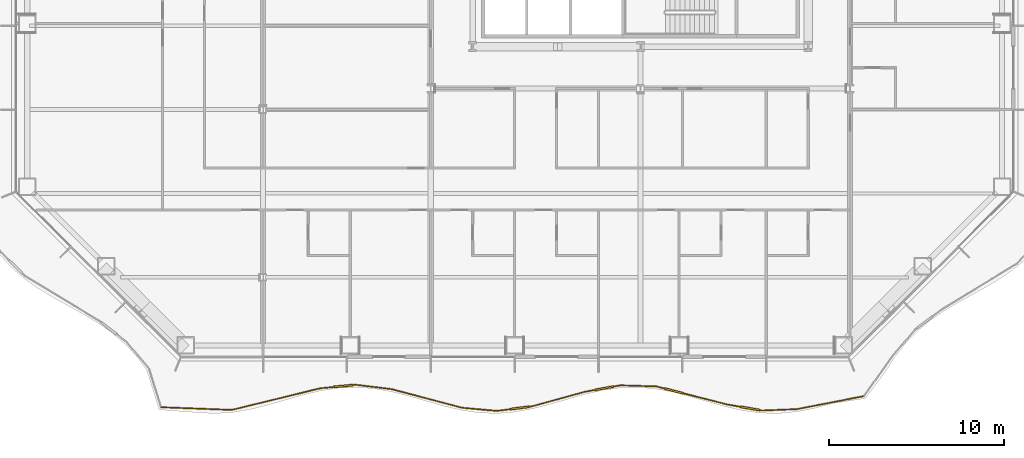
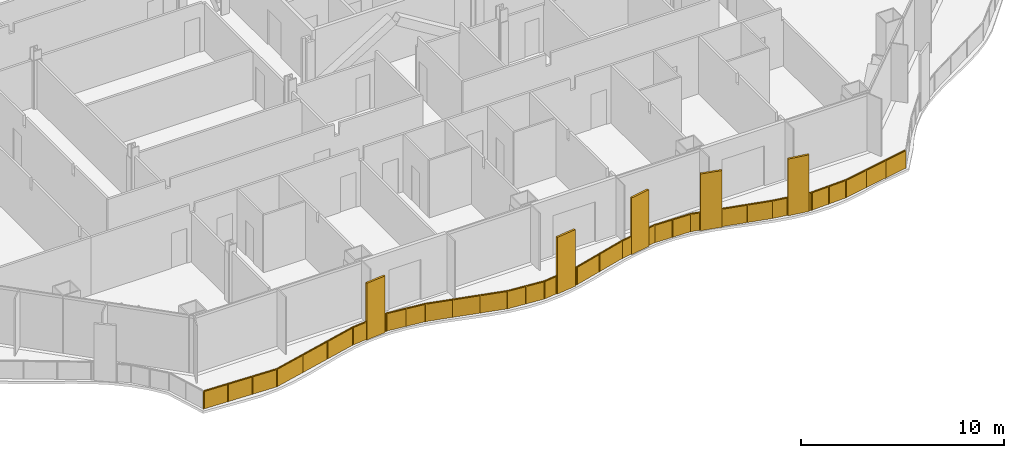
# One storey, part 16 of 21: 1 railing.
"""IFC4 building model written with IfcOpenShell, lengths in metres."""

from ifc_helpers import new_model, si_unit, direction, frame, origin, origin_2d, place, context, subcontext, project, spatial, polyline, rectangle, outline, extrude, material, type_object, element, save


model = new_model("IFC4")

# Units and contexts
model_context = context("Model", 3, precision=1e-05, world=origin(), true_north=direction((0.0, 1.0)))
body_context = subcontext(model_context, "Body", "Model", "MODEL_VIEW")
ifc_project = project(units=[si_unit("LENGTHUNIT", "METRE"), si_unit("AREAUNIT", "SQUARE_METRE"), si_unit("VOLUMEUNIT", "CUBIC_METRE"), si_unit("PLANEANGLEUNIT", "RADIAN"), si_unit("MASSUNIT", "GRAM", prefix="KILO")], contexts=[model_context])

# Site, building, storey
site_placement = place(None, origin())
site = spatial("IfcSite", under=ifc_project, at=site_placement, CompositionType="ELEMENT")
building_placement = place(site_placement, origin())
building = spatial("IfcBuilding", under=site, at=building_placement, Name="Cairn Pilgrim Tower", CompositionType="ELEMENT")
storey_placement = place(building_placement, frame((0.0, 0.0, 47.39990234375)))
storey = spatial("IfcBuildingStorey", under=building, at=storey_placement, Name="L09", CompositionType="ELEMENT", Elevation=47.39990234375)

# Railing
ifc_material = material(Name="Bronze anodised aluminium rail, posts and fin screens with laminated glass infill", Category="aluminium")
railing_type = type_object("IfcRailingType", Name="BALCONY GUARD WITH FIN SCREENS", PredefinedType="GUARDRAIL", material=ifc_material)
railing_placement = place(storey_placement, frame((-20.239990234375, -26.634521484375, 0.0)))
element("IfcRailing", 1, at=railing_placement, inside=storey, type_object=railing_type, Name="Balcony guard BGF-1 with fin screens", PredefinedType="GUARDRAIL", context=body_context, shape_type="SweptSolid", body=[
    extrude(rectangle(XDim=0.050048828125, YDim=0.050048828125, at=origin_2d()), frame((0.0, 0.0, 1.0751953125), z_axis=(0.999279625134, -0.037950372763, 0.0), x_axis=(0.037950372763, 0.999279625134, 0.0)), (0.0, 0.0, 1.0), 4.059326171875),
    extrude(rectangle(XDim=0.050048828125, YDim=0.050048828125, at=origin_2d()), frame((4.056396484375, -0.154052734375, 1.0751953125), z_axis=(0.971320368438, 0.237774560997, 0.0), x_axis=(-0.237774560997, 0.971320368438, 0.0)), (0.0, 0.0, 1.0), 5.19140625),
    extrude(rectangle(XDim=1.10009765625, YDim=0.110107421875, at=origin_2d()), frame((10.450439453125, 1.215087890625, 0.0), z_axis=(0.0, 0.0, 1.0), x_axis=(0.995059478864, 0.099280579784, 0.0)), (0.0, 0.0, 1.0), 3.39990234375),
    extrude(rectangle(XDim=0.050048828125, YDim=0.050048828125, at=origin_2d()), frame((9.098876953125, 1.080322265625, 1.0751953125), z_axis=(0.995059478864, 0.099280579784, 0.0), x_axis=(-0.099280579784, 0.995059478864, 0.0)), (0.0, 0.0, 1.0), 0.80810546875),
    extrude(rectangle(XDim=0.050048828125, YDim=0.050048828125, at=origin_2d()), frame((10.99755859375, 1.269775390625, 1.0751953125), z_axis=(0.995059478864, 0.099280579784, 0.0), x_axis=(-0.099280579784, 0.995059478864, 0.0)), (0.0, 0.0, 1.0), 0.150146484375),
    extrude(rectangle(XDim=0.050048828125, YDim=0.050048828125, at=origin_2d()), frame((11.14697265625, 1.28466796875, 1.0751953125), z_axis=(0.992685716398, -0.120727248209, 0.0), x_axis=(0.120727248209, 0.992685716398, 0.0)), (0.0, 0.0, 1.0), 2.062744140625),
    extrude(rectangle(XDim=0.050048828125, YDim=0.050048828125, at=origin_2d()), frame((13.194580078125, 1.03564453125, 1.0751953125), z_axis=(0.966840271951, -0.255381848483, 0.0), x_axis=(0.255381848483, 0.966840271951, 0.0)), (0.0, 0.0, 1.0), 4.1787109375),
    extrude(rectangle(XDim=0.050048828125, YDim=0.050048828125, at=origin_2d()), frame((17.234619140625, -0.031494140625, 1.0751953125), z_axis=(0.99590120662, -0.090447701202, 0.0), x_axis=(0.090447701202, 0.99590120662, 0.0)), (0.0, 0.0, 1.0), 2.000244140625),
    extrude(rectangle(XDim=1.10009765625, YDim=0.110107421875, at=origin_2d()), frame((20.526611328125, -0.043212890625, 0.0), z_axis=(0.0, 0.0, 1.0), x_axis=(0.991637604032, 0.129053718546, 0.0)), (0.0, 0.0, 1.0), 3.39990234375),
    extrude(rectangle(XDim=0.050048828125, YDim=0.050048828125, at=origin_2d()), frame((19.2265625, -0.21240234375, 1.0751953125), z_axis=(0.991637604032, 0.129053718546, 0.0), x_axis=(-0.129053718546, 0.991637604032, 0.0)), (0.0, 0.0, 1.0), 0.76123046875),
    extrude(rectangle(XDim=0.050048828125, YDim=0.050048828125, at=origin_2d()), frame((21.072021484375, 0.02783203125, 1.0751953125), z_axis=(0.991637604032, 0.129053718546, 0.0), x_axis=(-0.129053718546, 0.991637604032, 0.0)), (0.0, 0.0, 1.0), 0.14990234375),
    extrude(rectangle(XDim=0.050048828125, YDim=0.050048828125, at=origin_2d()), frame((21.220703125, 0.047119140625, 1.0751953125), z_axis=(0.964002923343, 0.265891639181, 0.0), x_axis=(-0.265891639181, 0.964002923343, 0.0)), (0.0, 0.0, 1.0), 3.14111328125),
    extrude(rectangle(XDim=1.10009765625, YDim=0.110107421875, at=origin_2d()), frame((25.3671875, 1.08544921875, 0.0), z_axis=(0.0, 0.0, 1.0), x_axis=(0.983883074468, 0.178813019031, 0.0)), (0.0, 0.0, 1.0), 3.39990234375),
    extrude(rectangle(XDim=0.050048828125, YDim=0.050048828125, at=origin_2d()), frame((24.248779296875, 0.88232421875, 1.0751953125), z_axis=(0.983883074468, 0.178813019031, 0.0), x_axis=(-0.178813019031, 0.983883074468, 0.0)), (0.0, 0.0, 1.0), 0.586669921875),
    extrude(rectangle(XDim=0.050048828125, YDim=0.050048828125, at=origin_2d()), frame((25.908203125, 1.183837890625, 1.0751953125), z_axis=(0.983883074468, 0.178813019031, 0.0), x_axis=(-0.178813019031, 0.983883074468, 0.0)), (0.0, 0.0, 1.0), 0.39013671875),
    extrude(rectangle(XDim=0.050048828125, YDim=0.050048828125, at=origin_2d()), frame((26.2919921875, 1.253662109375, 1.0751953125), z_axis=(0.999529769264, -0.030663338938, 0.0), x_axis=(0.030663338938, 0.999529769264, 0.0)), (0.0, 0.0, 1.0), 2.05419921875),
    extrude(rectangle(XDim=1.10009765625, YDim=0.110107421875, at=origin_2d()), frame((29.34375, 0.936279296875, 0.0), z_axis=(0.0, 0.0, 1.0), x_axis=(0.969044118646, -0.246887618396, 0.0)), (0.0, 0.0, 1.0), 3.39990234375),
    extrude(rectangle(XDim=0.050048828125, YDim=0.050048828125, at=origin_2d()), frame((28.34521484375, 1.190673828125, 1.0751953125), z_axis=(0.969044118646, -0.246887618396, 0.0), x_axis=(0.246887618396, 0.969044118646, 0.0)), (0.0, 0.0, 1.0), 0.480224609375),
    extrude(rectangle(XDim=0.050048828125, YDim=0.050048828125, at=origin_2d()), frame((29.876708984375, 0.800537109375, 1.0751953125), z_axis=(0.969044118646, -0.246887618396, 0.0), x_axis=(0.246887618396, 0.969044118646, 0.0)), (0.0, 0.0, 1.0), 2.6015625),
    extrude(rectangle(XDim=1.10009765625, YDim=0.110107421875, at=origin_2d()), frame((33.707763671875, -0.0703125, 0.0), z_axis=(0.0, 0.0, 1.0), x_axis=(0.985141053215, -0.171747213282, 0.0)), (0.0, 0.0, 1.0), 3.39990234375),
    extrude(rectangle(XDim=0.050048828125, YDim=0.050048828125, at=origin_2d()), frame((32.397705078125, 0.158203125, 1.0751953125), z_axis=(0.985141053215, -0.171747213282, 0.0), x_axis=(0.171747213282, 0.985141053215, 0.0)), (0.0, 0.0, 1.0), 0.77978515625),
    extrude(rectangle(XDim=0.050048828125, YDim=0.050048828125, at=origin_2d()), frame((34.249755859375, -0.16455078125, 1.0751953125), z_axis=(0.985141053215, -0.171747213282, 0.0), x_axis=(0.171747213282, 0.985141053215, 0.0)), (0.0, 0.0, 1.0), 0.150146484375),
    extrude(rectangle(XDim=0.050048828125, YDim=0.050048828125, at=origin_2d()), frame((34.3974609375, -0.1904296875, 1.0751953125), z_axis=(0.999194102013, 0.040139089462, 0.0), x_axis=(-0.040139089462, 0.999194102013, 0.0)), (0.0, 0.0, 1.0), 1.9951171875),
    extrude(rectangle(XDim=0.050048828125, YDim=0.050048828125, at=origin_2d()), frame((36.390869140625, -0.1103515625, 1.0751953125), z_axis=(0.981596937428, 0.190964531869, 0.0), x_axis=(-0.190964531869, 0.981596937428, 0.0)), (0.0, 0.0, 1.0), 3.857177734375),
    extrude(rectangle(XDim=0.050048828125, YDim=0.050048828125, at=origin_2d()), origin(), (0.0, 0.0, 1.0), 1.050048828125),
    extrude(rectangle(XDim=0.050048828125, YDim=0.050048828125, at=origin_2d()), frame((1.35205078125, -0.05126953125, 0.0)), (0.0, 0.0, 1.0), 1.050048828125),
    extrude(rectangle(XDim=0.050048828125, YDim=0.050048828125, at=origin_2d()), frame((2.704345703125, -0.102783203125, 0.0)), (0.0, 0.0, 1.0), 1.050048828125),
    extrude(rectangle(XDim=0.050048828125, YDim=0.050048828125, at=origin_2d()), frame((4.056396484375, -0.154052734375, 0.0)), (0.0, 0.0, 1.0), 1.050048828125),
    extrude(rectangle(XDim=0.050048828125, YDim=0.050048828125, at=origin_2d()), frame((5.7373046875, 0.25732421875, 0.0)), (0.0, 0.0, 1.0), 1.050048828125),
    extrude(rectangle(XDim=0.050048828125, YDim=0.050048828125, at=origin_2d()), frame((7.41796875, 0.6689453125, 0.0)), (0.0, 0.0, 1.0), 1.050048828125),
    extrude(rectangle(XDim=0.050048828125, YDim=0.050048828125, at=origin_2d()), frame((9.098876953125, 1.080322265625, 0.0)), (0.0, 0.0, 1.0), 1.050048828125),
    extrude(rectangle(XDim=0.050048828125, YDim=0.050048828125, at=origin_2d()), frame((9.878173828125, 1.157958984375, 0.0)), (0.0, 0.0, 1.0), 1.050048828125),
    extrude(rectangle(XDim=0.050048828125, YDim=0.050048828125, at=origin_2d()), frame((11.0224609375, 1.272216796875, 0.0)), (0.0, 0.0, 1.0), 1.050048828125),
    extrude(rectangle(XDim=0.050048828125, YDim=0.050048828125, at=origin_2d()), frame((11.14697265625, 1.28466796875, 0.0)), (0.0, 0.0, 1.0), 1.050048828125),
    extrude(rectangle(XDim=0.050048828125, YDim=0.050048828125, at=origin_2d()), frame((12.1708984375, 1.16015625, 0.0)), (0.0, 0.0, 1.0), 1.050048828125),
    extrude(rectangle(XDim=0.050048828125, YDim=0.050048828125, at=origin_2d()), frame((13.194580078125, 1.03564453125, 0.0)), (0.0, 0.0, 1.0), 1.050048828125),
    extrude(rectangle(XDim=0.050048828125, YDim=0.050048828125, at=origin_2d()), frame((14.541259765625, 0.679931640625, 0.0)), (0.0, 0.0, 1.0), 1.050048828125),
    extrude(rectangle(XDim=0.050048828125, YDim=0.050048828125, at=origin_2d()), frame((15.887939453125, 0.32421875, 0.0)), (0.0, 0.0, 1.0), 1.050048828125),
    extrude(rectangle(XDim=0.050048828125, YDim=0.050048828125, at=origin_2d()), frame((17.234619140625, -0.031494140625, 0.0)), (0.0, 0.0, 1.0), 1.050048828125),
    extrude(rectangle(XDim=0.050048828125, YDim=0.050048828125, at=origin_2d()), frame((18.23046875, -0.1220703125, 0.0)), (0.0, 0.0, 1.0), 1.050048828125),
    extrude(rectangle(XDim=0.050048828125, YDim=0.050048828125, at=origin_2d()), frame((19.2265625, -0.21240234375, 0.0)), (0.0, 0.0, 1.0), 1.050048828125),
    extrude(rectangle(XDim=0.050048828125, YDim=0.050048828125, at=origin_2d()), frame((19.95654296875, -0.117431640625, 0.0)), (0.0, 0.0, 1.0), 1.050048828125),
    extrude(rectangle(XDim=0.050048828125, YDim=0.050048828125, at=origin_2d()), frame((21.096923828125, 0.031005859375, 0.0)), (0.0, 0.0, 1.0), 1.050048828125),
    extrude(rectangle(XDim=0.050048828125, YDim=0.050048828125, at=origin_2d()), frame((21.220703125, 0.047119140625, 0.0)), (0.0, 0.0, 1.0), 1.050048828125),
    extrude(rectangle(XDim=0.050048828125, YDim=0.050048828125, at=origin_2d()), frame((22.73486328125, 0.464599609375, 0.0)), (0.0, 0.0, 1.0), 1.050048828125),
    extrude(rectangle(XDim=0.050048828125, YDim=0.050048828125, at=origin_2d()), frame((24.248779296875, 0.88232421875, 0.0)), (0.0, 0.0, 1.0), 1.050048828125),
    extrude(rectangle(XDim=0.050048828125, YDim=0.050048828125, at=origin_2d()), frame((24.80126953125, 0.982666015625, 0.0)), (0.0, 0.0, 1.0), 1.050048828125),
    extrude(rectangle(XDim=0.050048828125, YDim=0.050048828125, at=origin_2d()), frame((25.932861328125, 1.1884765625, 0.0)), (0.0, 0.0, 1.0), 1.050048828125),
    extrude(rectangle(XDim=0.050048828125, YDim=0.050048828125, at=origin_2d()), frame((26.2919921875, 1.253662109375, 0.0)), (0.0, 0.0, 1.0), 1.050048828125),
    extrude(rectangle(XDim=0.050048828125, YDim=0.050048828125, at=origin_2d()), frame((27.318603515625, 1.22216796875, 0.0)), (0.0, 0.0, 1.0), 1.050048828125),
    extrude(rectangle(XDim=0.050048828125, YDim=0.050048828125, at=origin_2d()), frame((28.34521484375, 1.190673828125, 0.0)), (0.0, 0.0, 1.0), 1.050048828125),
    extrude(rectangle(XDim=0.050048828125, YDim=0.050048828125, at=origin_2d()), frame((28.786376953125, 1.078369140625, 0.0)), (0.0, 0.0, 1.0), 1.050048828125),
    extrude(rectangle(XDim=0.050048828125, YDim=0.050048828125, at=origin_2d()), frame((29.90087890625, 0.79443359375, 0.0)), (0.0, 0.0, 1.0), 1.050048828125),
    extrude(rectangle(XDim=0.050048828125, YDim=0.050048828125, at=origin_2d()), frame((31.149169921875, 0.476318359375, 0.0)), (0.0, 0.0, 1.0), 1.050048828125),
    extrude(rectangle(XDim=0.050048828125, YDim=0.050048828125, at=origin_2d()), frame((32.397705078125, 0.158203125, 0.0)), (0.0, 0.0, 1.0), 1.050048828125),
    extrude(rectangle(XDim=0.050048828125, YDim=0.050048828125, at=origin_2d()), frame((33.141357421875, 0.028564453125, 0.0)), (0.0, 0.0, 1.0), 1.050048828125),
    extrude(rectangle(XDim=0.050048828125, YDim=0.050048828125, at=origin_2d()), frame((34.2744140625, -0.1689453125, 0.0)), (0.0, 0.0, 1.0), 1.050048828125),
    extrude(rectangle(XDim=0.050048828125, YDim=0.050048828125, at=origin_2d()), frame((34.3974609375, -0.1904296875, 0.0)), (0.0, 0.0, 1.0), 1.050048828125),
    extrude(rectangle(XDim=0.050048828125, YDim=0.050048828125, at=origin_2d()), frame((35.39404296875, -0.150390625, 0.0)), (0.0, 0.0, 1.0), 1.050048828125),
    extrude(rectangle(XDim=0.050048828125, YDim=0.050048828125, at=origin_2d()), frame((36.390869140625, -0.1103515625, 0.0)), (0.0, 0.0, 1.0), 1.050048828125),
    extrude(rectangle(XDim=0.050048828125, YDim=0.050048828125, at=origin_2d()), frame((37.65283203125, 0.13525390625, 0.0)), (0.0, 0.0, 1.0), 1.050048828125),
    extrude(rectangle(XDim=0.050048828125, YDim=0.050048828125, at=origin_2d()), frame((38.9150390625, 0.380615234375, 0.0)), (0.0, 0.0, 1.0), 1.050048828125),
    extrude(rectangle(XDim=0.050048828125, YDim=0.050048828125, at=origin_2d()), frame((40.177001953125, 0.626220703125, 0.0)), (0.0, 0.0, 1.0), 1.050048828125),
    extrude(outline(polyline([(0.02490234375, 0.0), (1.328125, 0.0), (1.328125, 1.050048828125), (0.02490234375, 1.050048828125), (0.02490234375, 0.0)])), frame((0.000244140625, 0.005859375, 0.0), z_axis=(-0.037950372763, -0.999279625134, 0.0), x_axis=(0.999279625134, -0.037950372763, 0.0)), (0.0, 0.0, 1.0), 0.011962890625),
    extrude(outline(polyline([(0.02490234375, 0.0), (1.328125, 0.0), (1.328125, 1.050048828125), (0.02490234375, 1.050048828125), (0.02490234375, 0.0)])), frame((1.352294921875, -0.04541015625, 0.0), z_axis=(-0.037950372763, -0.999279625134, 0.0), x_axis=(0.999279625134, -0.037950372763, 0.0)), (0.0, 0.0, 1.0), 0.011962890625),
    extrude(outline(polyline([(0.02490234375, 0.0), (1.328125, 0.0), (1.328125, 1.050048828125), (0.02490234375, 1.050048828125), (0.02490234375, 0.0)])), frame((2.70458984375, -0.0966796875, 0.0), z_axis=(-0.037950372763, -0.999279625134, 0.0), x_axis=(0.999279625134, -0.037950372763, 0.0)), (0.0, 0.0, 1.0), 0.011962890625),
    extrude(outline(polyline([(0.02490234375, 0.0), (1.705322265625, 0.0), (1.705322265625, 1.050048828125), (0.02490234375, 1.050048828125), (0.02490234375, 0.0)])), frame((4.054931640625, -0.148193359375, 0.0), z_axis=(0.237774560997, -0.971320368438, 0.0), x_axis=(0.971320368438, 0.237774560997, 0.0)), (0.0, 0.0, 1.0), 0.011962890625),
    extrude(outline(polyline([(0.02490234375, 0.0), (1.705322265625, 0.0), (1.705322265625, 1.050048828125), (0.02490234375, 1.050048828125), (0.02490234375, 0.0)])), frame((5.73583984375, 0.26318359375, 0.0), z_axis=(0.237774560997, -0.971320368438, 0.0), x_axis=(0.971320368438, 0.237774560997, 0.0)), (0.0, 0.0, 1.0), 0.011962890625),
    extrude(outline(polyline([(0.02490234375, 0.0), (1.705322265625, 0.0), (1.705322265625, 1.050048828125), (0.02490234375, 1.050048828125), (0.02490234375, 0.0)])), frame((7.416748046875, 0.674560546875, 0.0), z_axis=(0.237774560997, -0.971320368438, 0.0), x_axis=(0.971320368438, 0.237774560997, 0.0)), (0.0, 0.0, 1.0), 0.011962890625),
    extrude(outline(polyline([(0.02490234375, 0.0), (0.758056640625, 0.0), (0.758056640625, 1.050048828125), (0.02490234375, 1.050048828125), (0.02490234375, 0.0)])), frame((9.098388671875, 1.086181640625, 0.0), z_axis=(0.099280579784, -0.995059478864, 0.0), x_axis=(0.995059478864, 0.099280579784, 0.0)), (0.0, 0.0, 1.0), 0.011962890625),
    extrude(outline(polyline([(0.02490234375, 0.0), (0.10009765625, 0.0), (0.10009765625, 1.050048828125), (0.02490234375, 1.050048828125), (0.02490234375, 0.0)])), frame((11.02197265625, 1.2783203125, 0.0), z_axis=(0.099280579784, -0.995059478864, 0.0), x_axis=(0.995059478864, 0.099280579784, 0.0)), (0.0, 0.0, 1.0), 0.011962890625),
    extrude(outline(polyline([(0.02490234375, 0.0), (1.00634765625, 0.0), (1.00634765625, 1.050048828125), (0.02490234375, 1.050048828125), (0.02490234375, 0.0)])), frame((11.147705078125, 1.29052734375, 0.0), z_axis=(-0.120727248209, -0.992685716398, 0.0), x_axis=(0.992685716398, -0.120727248209, 0.0)), (0.0, 0.0, 1.0), 0.011962890625),
    extrude(outline(polyline([(0.02490234375, 0.0), (1.00634765625, 0.0), (1.00634765625, 1.050048828125), (0.02490234375, 1.050048828125), (0.02490234375, 0.0)])), frame((12.17138671875, 1.166015625, 0.0), z_axis=(-0.120727248209, -0.992685716398, 0.0), x_axis=(0.992685716398, -0.120727248209, 0.0)), (0.0, 0.0, 1.0), 0.011962890625),
    extrude(outline(polyline([(0.02490234375, 0.0), (1.367919921875, 0.0), (1.367919921875, 1.050048828125), (0.02490234375, 1.050048828125), (0.02490234375, 0.0)])), frame((13.196044921875, 1.04150390625, 0.0), z_axis=(-0.255381848483, -0.966840271951, 0.0), x_axis=(0.966840271951, -0.255381848483, 0.0)), (0.0, 0.0, 1.0), 0.011962890625),
    extrude(outline(polyline([(0.02490234375, 0.0), (1.367919921875, 0.0), (1.367919921875, 1.050048828125), (0.02490234375, 1.050048828125), (0.02490234375, 0.0)])), frame((14.542724609375, 0.685791015625, 0.0), z_axis=(-0.255381848483, -0.966840271951, 0.0), x_axis=(0.966840271951, -0.255381848483, 0.0)), (0.0, 0.0, 1.0), 0.011962890625),
    extrude(outline(polyline([(0.02490234375, 0.0), (1.367919921875, 0.0), (1.367919921875, 1.050048828125), (0.02490234375, 1.050048828125), (0.02490234375, 0.0)])), frame((15.889404296875, 0.330078125, 0.0), z_axis=(-0.255381848483, -0.966840271951, 0.0), x_axis=(0.966840271951, -0.255381848483, 0.0)), (0.0, 0.0, 1.0), 0.011962890625),
    extrude(outline(polyline([(0.02490234375, 0.0), (0.97509765625, 0.0), (0.97509765625, 1.050048828125), (0.02490234375, 1.050048828125), (0.02490234375, 0.0)])), frame((17.235107421875, -0.025634765625, 0.0), z_axis=(-0.090447701202, -0.99590120662, 0.0), x_axis=(0.99590120662, -0.090447701202, 0.0)), (0.0, 0.0, 1.0), 0.011962890625),
    extrude(outline(polyline([(0.02490234375, 0.0), (0.97509765625, 0.0), (0.97509765625, 1.050048828125), (0.02490234375, 1.050048828125), (0.02490234375, 0.0)])), frame((18.231201171875, -0.115966796875, 0.0), z_axis=(-0.090447701202, -0.99590120662, 0.0), x_axis=(0.99590120662, -0.090447701202, 0.0)), (0.0, 0.0, 1.0), 0.011962890625),
    extrude(outline(polyline([(0.02490234375, 0.0), (0.711181640625, 0.0), (0.711181640625, 1.050048828125), (0.02490234375, 1.050048828125), (0.02490234375, 0.0)])), frame((19.225830078125, -0.20654296875, 0.0), z_axis=(0.129053718546, -0.991637604032, 0.0), x_axis=(0.991637604032, 0.129053718546, 0.0)), (0.0, 0.0, 1.0), 0.011962890625),
    extrude(outline(polyline([(0.02490234375, 0.0), (0.099853515625, 0.0), (0.099853515625, 1.050048828125), (0.02490234375, 1.050048828125), (0.02490234375, 0.0)])), frame((21.09619140625, 0.036865234375, 0.0), z_axis=(0.129053718546, -0.991637604032, 0.0), x_axis=(0.991637604032, 0.129053718546, 0.0)), (0.0, 0.0, 1.0), 0.011962890625),
    extrude(outline(polyline([(0.02490234375, 0.0), (1.545654296875, 0.0), (1.545654296875, 1.050048828125), (0.02490234375, 1.050048828125), (0.02490234375, 0.0)])), frame((21.218994140625, 0.052978515625, 0.0), z_axis=(0.265891639181, -0.964002923343, 0.0), x_axis=(0.964002923343, 0.265891639181, 0.0)), (0.0, 0.0, 1.0), 0.011962890625),
    extrude(outline(polyline([(0.02490234375, 0.0), (1.545654296875, 0.0), (1.545654296875, 1.050048828125), (0.02490234375, 1.050048828125), (0.02490234375, 0.0)])), frame((22.733154296875, 0.470458984375, 0.0), z_axis=(0.265891639181, -0.964002923343, 0.0), x_axis=(0.964002923343, 0.265891639181, 0.0)), (0.0, 0.0, 1.0), 0.011962890625),
    extrude(outline(polyline([(0.02490234375, 0.0), (0.53662109375, 0.0), (0.53662109375, 1.050048828125), (0.02490234375, 1.050048828125), (0.02490234375, 0.0)])), frame((24.247802734375, 0.88818359375, 0.0), z_axis=(0.178813019031, -0.983883074468, 0.0), x_axis=(0.983883074468, 0.178813019031, 0.0)), (0.0, 0.0, 1.0), 0.011962890625),
    extrude(outline(polyline([(0.02490234375, 0.0), (0.340087890625, 0.0), (0.340087890625, 1.050048828125), (0.02490234375, 1.050048828125), (0.02490234375, 0.0)])), frame((25.931640625, 1.1943359375, 0.0), z_axis=(0.178813019031, -0.983883074468, 0.0), x_axis=(0.983883074468, 0.178813019031, 0.0)), (0.0, 0.0, 1.0), 0.011962890625),
    extrude(outline(polyline([(0.02490234375, 0.0), (1.001953125, 0.0), (1.001953125, 1.050048828125), (0.02490234375, 1.050048828125), (0.02490234375, 0.0)])), frame((26.292236328125, 1.259521484375, 0.0), z_axis=(-0.030663338938, -0.999529769264, 0.0), x_axis=(0.999529769264, -0.030663338938, 0.0)), (0.0, 0.0, 1.0), 0.011962890625),
    extrude(outline(polyline([(0.02490234375, 0.0), (1.001953125, 0.0), (1.001953125, 1.050048828125), (0.02490234375, 1.050048828125), (0.02490234375, 0.0)])), frame((27.31884765625, 1.22802734375, 0.0), z_axis=(-0.030663338938, -0.999529769264, 0.0), x_axis=(0.999529769264, -0.030663338938, 0.0)), (0.0, 0.0, 1.0), 0.011962890625),
    extrude(outline(polyline([(0.02490234375, 0.0), (0.43017578125, 0.0), (0.43017578125, 1.050048828125), (0.02490234375, 1.050048828125), (0.02490234375, 0.0)])), frame((28.3466796875, 1.196533203125, 0.0), z_axis=(-0.246887618396, -0.969044118646, 0.0), x_axis=(0.969044118646, -0.246887618396, 0.0)), (0.0, 0.0, 1.0), 0.011962890625),
    extrude(outline(polyline([(0.02490234375, 0.0), (1.26318359375, 0.0), (1.26318359375, 1.050048828125), (0.02490234375, 1.050048828125), (0.02490234375, 0.0)])), frame((29.90234375, 0.800048828125, 0.0), z_axis=(-0.246887618396, -0.969044118646, 0.0), x_axis=(0.969044118646, -0.246887618396, 0.0)), (0.0, 0.0, 1.0), 0.011962890625),
    extrude(outline(polyline([(0.02490234375, 0.0), (1.26318359375, 0.0), (1.26318359375, 1.050048828125), (0.02490234375, 1.050048828125), (0.02490234375, 0.0)])), frame((31.15087890625, 0.482177734375, 0.0), z_axis=(-0.246887618396, -0.969044118646, 0.0), x_axis=(0.969044118646, -0.246887618396, 0.0)), (0.0, 0.0, 1.0), 0.011962890625),
    extrude(outline(polyline([(0.02490234375, 0.0), (0.729736328125, 0.0), (0.729736328125, 1.050048828125), (0.02490234375, 1.050048828125), (0.02490234375, 0.0)])), frame((32.398681640625, 0.1640625, 0.0), z_axis=(-0.171747213282, -0.985141053215, 0.0), x_axis=(0.985141053215, -0.171747213282, 0.0)), (0.0, 0.0, 1.0), 0.011962890625),
    extrude(outline(polyline([(0.02490234375, 0.0), (0.10009765625, 0.0), (0.10009765625, 1.050048828125), (0.02490234375, 1.050048828125), (0.02490234375, 0.0)])), frame((34.275390625, -0.1630859375, 0.0), z_axis=(-0.171747213282, -0.985141053215, 0.0), x_axis=(0.985141053215, -0.171747213282, 0.0)), (0.0, 0.0, 1.0), 0.011962890625),
    extrude(outline(polyline([(0.02490234375, 0.0), (0.972412109375, 0.0), (0.972412109375, 1.050048828125), (0.02490234375, 1.050048828125), (0.02490234375, 0.0)])), frame((34.397216796875, -0.1845703125, 0.0), z_axis=(0.040139089462, -0.999194102013, 0.0), x_axis=(0.999194102013, 0.040139089462, 0.0)), (0.0, 0.0, 1.0), 0.011962890625),
    extrude(outline(polyline([(0.02490234375, 0.0), (0.972412109375, 0.0), (0.972412109375, 1.050048828125), (0.02490234375, 1.050048828125), (0.02490234375, 0.0)])), frame((35.39404296875, -0.14453125, 0.0), z_axis=(0.040139089462, -0.999194102013, 0.0), x_axis=(0.999194102013, 0.040139089462, 0.0)), (0.0, 0.0, 1.0), 0.011962890625),
    extrude(outline(polyline([(0.02490234375, 0.0), (1.2607421875, 0.0), (1.2607421875, 1.050048828125), (0.02490234375, 1.050048828125), (0.02490234375, 0.0)])), frame((36.3896484375, -0.1044921875, 0.0), z_axis=(0.190964531869, -0.981596937428, 0.0), x_axis=(0.981596937428, 0.190964531869, 0.0)), (0.0, 0.0, 1.0), 0.011962890625),
    extrude(outline(polyline([(0.02490234375, 0.0), (1.2607421875, 0.0), (1.2607421875, 1.050048828125), (0.02490234375, 1.050048828125), (0.02490234375, 0.0)])), frame((37.65185546875, 0.14111328125, 0.0), z_axis=(0.190964531869, -0.981596937428, 0.0), x_axis=(0.981596937428, 0.190964531869, 0.0)), (0.0, 0.0, 1.0), 0.011962890625),
    extrude(outline(polyline([(0.02490234375, 0.0), (1.2607421875, 0.0), (1.2607421875, 1.050048828125), (0.02490234375, 1.050048828125), (0.02490234375, 0.0)])), frame((38.913818359375, 0.386474609375, 0.0), z_axis=(0.190964531869, -0.981596937428, 0.0), x_axis=(0.981596937428, 0.190964531869, 0.0)), (0.0, 0.0, 1.0), 0.011962890625),
])

save(model, "model.ifc")
